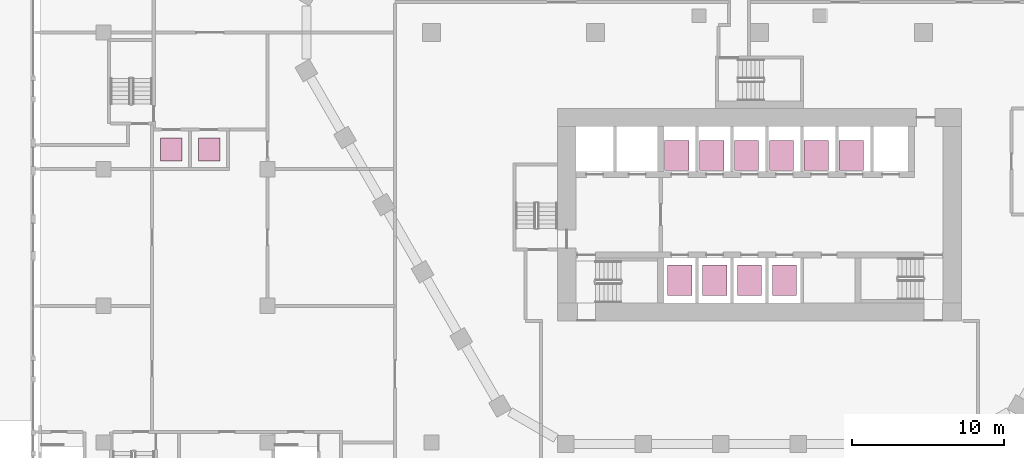
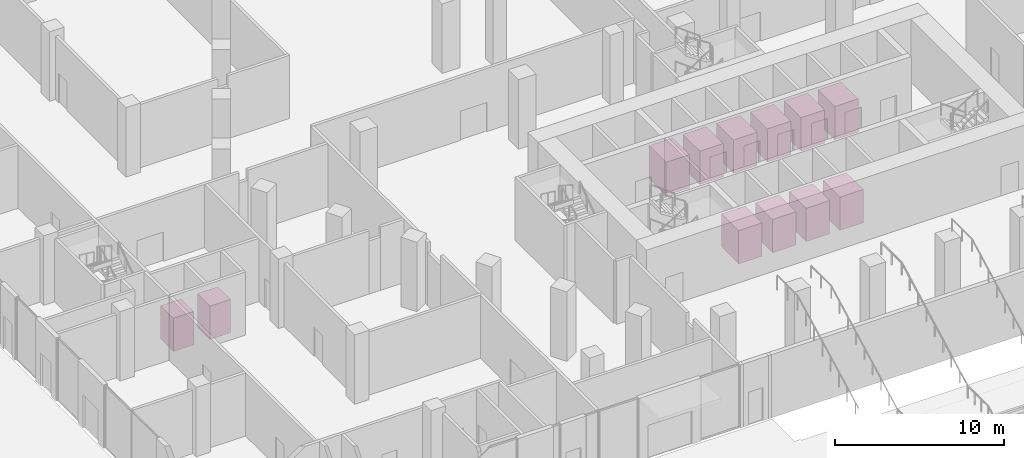
# One storey, part 56 of 57: 12 transport elements.
"""IFC4 building model written with IfcOpenShell, lengths in metres."""

from ifc_helpers import new_model, si_unit, direction, frame, origin, origin_2d, place, context, subcontext, project, spatial, rectangle, extrude, material, type_object, element, save


model = new_model("IFC4")

# Units and contexts
model_context = context("Model", 3, precision=1e-05, world=origin(), true_north=direction((0.0, 1.0)))
body_context = subcontext(model_context, "Body", "Model", "MODEL_VIEW")
ifc_project = project(units=[si_unit("LENGTHUNIT", "METRE"), si_unit("AREAUNIT", "SQUARE_METRE"), si_unit("VOLUMEUNIT", "CUBIC_METRE"), si_unit("PLANEANGLEUNIT", "RADIAN"), si_unit("MASSUNIT", "GRAM", prefix="KILO")], contexts=[model_context])

# Site, building, storey
site_placement = place(None, origin())
site = spatial("IfcSite", under=ifc_project, at=site_placement, CompositionType="ELEMENT")
building_placement = place(site_placement, origin())
building = spatial("IfcBuilding", under=site, at=building_placement, Name="Beryl Residences", CompositionType="ELEMENT")
storey_placement = place(building_placement, origin())
storey = spatial("IfcBuildingStorey", under=building, at=storey_placement, Name="L00", CompositionType="ELEMENT", Elevation=0.0)

# Transport elements
ifc_material_1 = material(Name="Stainless steel and glass lift car", Category="steel")
transport_element_type_1 = type_object("IfcTransportElementType", Name="LC1 passenger lift car 1600 x 2000 mm", PredefinedType="ELEVATOR", material=ifc_material_1)
for number, where, z_axis, x_axis, name in (
    (1, (-5.449951171875, -8.10009765625, 0.0), (0.0, 0.0, 1.0), (1.0, 0.0, 0.0), "LR1 low-rise lift car"),
    (2, (-3.14990234375, -8.10009765625, 0.0), (0.0, 0.0, 1.0), (1.0, 0.0, 0.0), "LR2 low-rise lift car"),
    (3, (-0.85009765625, -8.10009765625, 0.0), (0.0, 0.0, 1.0), (1.0, 0.0, 0.0), "LR3 low-rise lift car"),
    (4, (1.449951171875, -8.10009765625, 0.0), (0.0, 0.0, 1.0), (1.0, 0.0, 0.0), "LR4 low-rise lift car"),
    (5, (3.75, -8.10009765625, 0.0), (0.0, 0.0, 1.0), (1.0, 0.0, 0.0), "LR5 low-rise lift car"),
    (6, (6.050048828125, -8.10009765625, 0.0), (0.0, 0.0, 1.0), (1.0, 0.0, 0.0), "LR6 low-rise lift car"),
    (7, (-5.25, -16.324951171875, 0.0), (0.0, 0.0, 1.0), (1.0, 0.0, 0.0), "SH1 shuttle lift car"),
    (8, (-2.949951171875, -16.324951171875, 0.0), (0.0, 0.0, 1.0), (1.0, 0.0, 0.0), "SH2 shuttle lift car"),
    (9, (-0.64990234375, -16.324951171875, 0.0), (0.0, 0.0, 1.0), (1.0, 0.0, 0.0), "SH3 shuttle lift car"),
    (10, (1.64990234375, -16.324951171875, 0.0), (0.0, 0.0, 1.0), (1.0, 0.0, 0.0), "SH4 shuttle lift car"),
):
    element("IfcTransportElement", number, at=place(storey_placement, frame(where, z_axis=z_axis, x_axis=x_axis)), inside=storey, type_object=transport_element_type_1, Name=name, PredefinedType="ELEVATOR", context=body_context, shape_type="SweptSolid", body=[
        extrude(rectangle(XDim=1.60009765625, YDim=2.0, at=origin_2d()), origin(), (0.0, 0.0, 1.0), 2.39990234375),
    ])
ifc_material_2 = material(Name="Stainless steel and glass lift car", Category="steel")
transport_element_type_2 = type_object("IfcTransportElementType", Name="LC4 passenger lift car 1400 x 1500 mm", PredefinedType="ELEVATOR", material=ifc_material_2)
for number, where, z_axis, x_axis, name in (
    (11, (-38.75, -7.699951171875, 0.0), (0.0, 0.0, 1.0), (1.0, 0.0, 0.0), "PG1 public garden lift car"),
    (12, (-36.25, -7.699951171875, 0.0), (0.0, 0.0, 1.0), (1.0, 0.0, 0.0), "PG2 public garden lift car"),
):
    element("IfcTransportElement", number, at=place(storey_placement, frame(where, z_axis=z_axis, x_axis=x_axis)), inside=storey, type_object=transport_element_type_2, Name=name, PredefinedType="ELEVATOR", context=body_context, shape_type="SweptSolid", body=[
        extrude(rectangle(XDim=1.39990234375, YDim=1.5, at=origin_2d()), origin(), (0.0, 0.0, 1.0), 2.39990234375),
    ])

save(model, "model.ifc")
